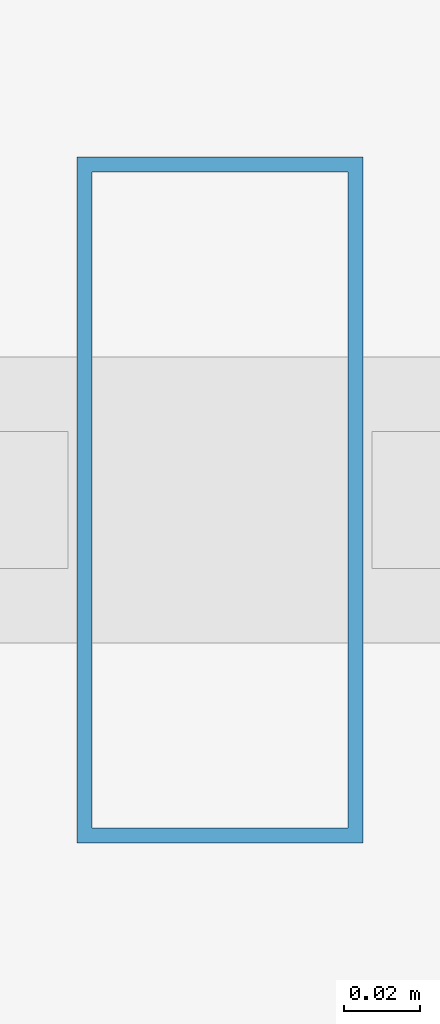
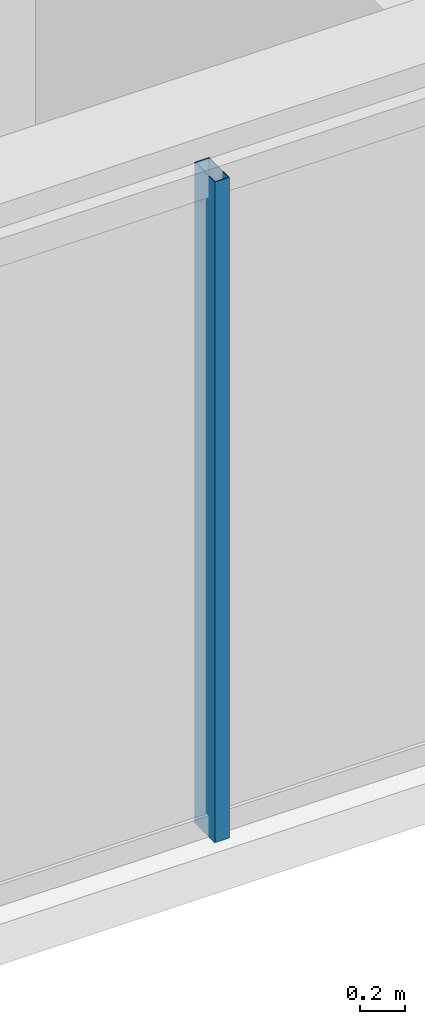
# One storey, part 4 of 31: 1 member, 1 element without a shape of its own.
"""IFC4 building model written with IfcOpenShell, lengths in metres."""

from ifc_helpers import new_model, si_unit, direction, frame, origin, origin_2d, place, context, subcontext, project, spatial, hollow_rectangle, extrude, material, layer, layer_set, material_profile, profile_set, type_object, element, aggregate, save


model = new_model("IFC4")

# Units and contexts
model_context = context("Model", 3, precision=1e-05, world=origin(), true_north=direction((0.0, 1.0)))
body_context = subcontext(model_context, "Body", "Model", "MODEL_VIEW")
ifc_project = project(units=[si_unit("LENGTHUNIT", "METRE"), si_unit("AREAUNIT", "SQUARE_METRE"), si_unit("VOLUMEUNIT", "CUBIC_METRE"), si_unit("PLANEANGLEUNIT", "RADIAN"), si_unit("MASSUNIT", "GRAM", prefix="KILO")], contexts=[model_context])

# Site, building, storey
site_placement = place(None, origin())
site = spatial("IfcSite", under=ifc_project, at=site_placement, CompositionType="ELEMENT")
building_placement = place(site_placement, origin())
building = spatial("IfcBuilding", under=site, at=building_placement, Name="Ndaravel Arena Tower", CompositionType="ELEMENT")
storey_placement = place(building_placement, frame((0.0, 0.0, 146.0)))
storey = spatial("IfcBuildingStorey", under=building, at=storey_placement, Name="L34", CompositionType="ELEMENT", Elevation=146.0)

# Curtain wall, member
ifc_material_1 = material(Name="Aluminium", Category="aluminium")
ifc_layer = layer(ifc_material_1, 0.179931640625)
ifc_layer_set = layer_set([ifc_layer], Name="Aluminium")
curtain_wall_type = type_object("IfcCurtainWallType", Name="CW-SYS-03", PredefinedType="NOTDEFINED", material=ifc_layer_set)
curtain_wall_placement = place(storey_placement, origin())
curtain_wall = element("IfcCurtainWall", 1, at=curtain_wall_placement, inside=storey, type_object=curtain_wall_type, Name="L34 Faceted Crystal Curtain Wall CW-L34-E01", PredefinedType="NOTDEFINED")
ifc_material_2 = material(Name="Aluminium", Category="aluminium")
ifc_material_profile = material_profile(ifc_material_2, hollow_rectangle(XDim=0.074951171875, YDim=0.179931640625, WallThickness=0.00390625, at=origin_2d()), Name="CW MULLION 75x180x4")
ifc_profile_set = profile_set([ifc_material_profile], Name="Aluminium")
member_type = type_object("IfcMemberType", Name="MEM-CW-MUL180", PredefinedType="MULLION", material=ifc_profile_set)
member_placement = place(storey_placement, frame((33.119873046875, 5.159912109375, 0.0), z_axis=(0.0, 0.0, 1.0), x_axis=(1.0, 0.0, 0.0)))
member = element("IfcMember", 2, at=member_placement, type_object=member_type, Name="CW-L34-E01 Mullion 02", PredefinedType="MULLION", context=body_context, shape_type="SweptSolid", body=[
    extrude(hollow_rectangle(XDim=0.074951171875, YDim=0.179931640625, WallThickness=0.00390625, at=origin_2d()), origin(), (0.0, 0.0, 1.0), 3.580078125),
])
aggregate(curtain_wall, [member])

save(model, "model.ifc")
